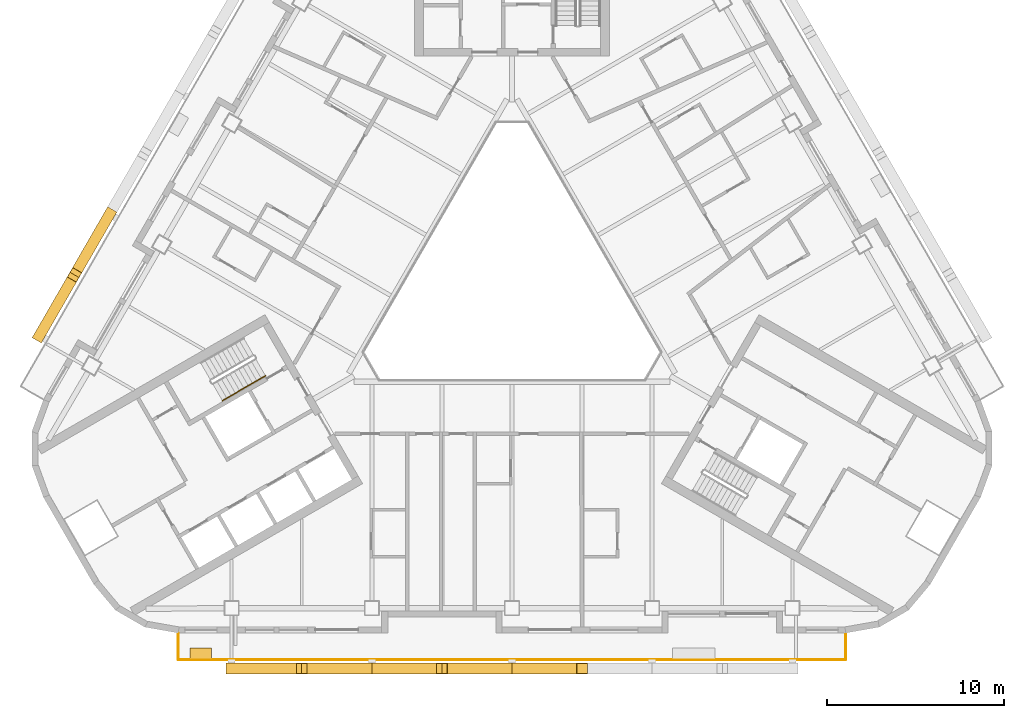
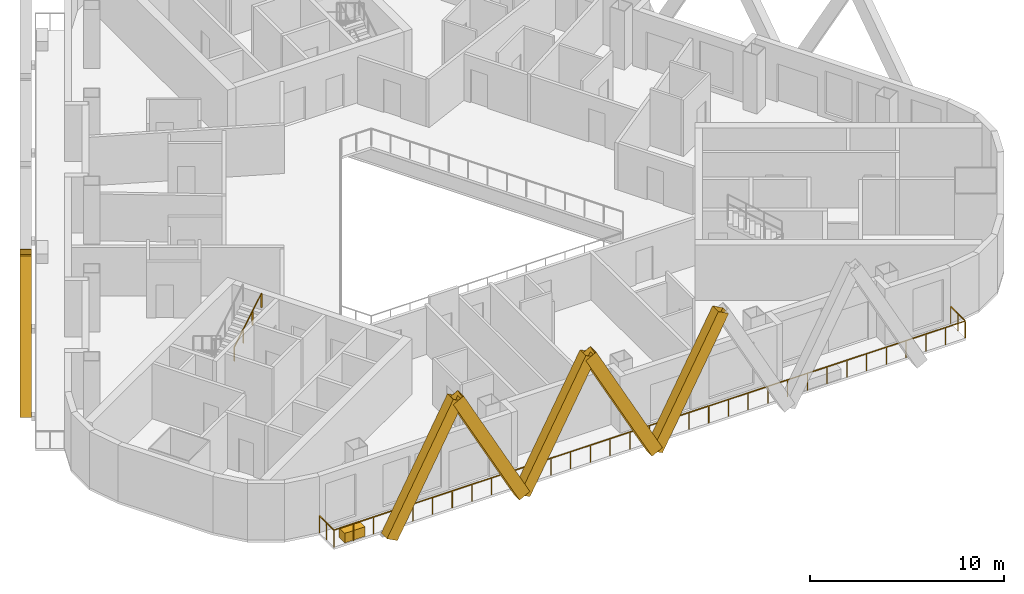
# One storey, part 9 of 14: 7 shading devices, 2 railings, 1 covering.
"""IFC4 building model written with IfcOpenShell, lengths in metres."""

from ifc_helpers import new_model, si_unit, direction, frame, origin, origin_2d, place, context, subcontext, project, spatial, rectangle, hollow_rectangle, circle, extrude, material, material_profile, profile_set, type_object, element, save


model = new_model("IFC4")

# Units and contexts
model_context = context("Model", 3, precision=1e-05, world=origin(), true_north=direction((0.0, 1.0)))
body_context = subcontext(model_context, "Body", "Model", "MODEL_VIEW")
ifc_project = project(units=[si_unit("LENGTHUNIT", "METRE"), si_unit("AREAUNIT", "SQUARE_METRE"), si_unit("VOLUMEUNIT", "CUBIC_METRE"), si_unit("PLANEANGLEUNIT", "RADIAN"), si_unit("MASSUNIT", "GRAM", prefix="KILO")], contexts=[model_context])

# Site, building, storey
site_placement = place(None, origin())
site = spatial("IfcSite", under=ifc_project, at=site_placement, CompositionType="ELEMENT")
building_placement = place(site_placement, origin())
building = spatial("IfcBuilding", under=site, at=building_placement, Name="Apuvela Tower Hotel", CompositionType="ELEMENT")
storey_placement = place(building_placement, frame((0.0, 0.0, 176.199951171875)))
storey = spatial("IfcBuildingStorey", under=building, at=storey_placement, Name="L42", CompositionType="ELEMENT", Elevation=176.199951171875)

# Railing
ifc_material_1 = material(Name="Stainless steel 316 handrail", Category="steel")
railing_type_1 = type_object("IfcRailingType", Name="COR-HANDRAIL-900", PredefinedType="HANDRAIL", material=ifc_material_1)
railing_1_placement = place(storey_placement, frame((-16.31884765625, -6.534912109375, 2.018310546875)))
element("IfcRailing", 1, at=railing_1_placement, inside=storey, type_object=railing_type_1, Name="L42 ST2 stair handrail 2", PredefinedType="HANDRAIL", context=body_context, shape_type="SweptSolid", body=[
    extrude(circle(Radius=0.02392578125, at=origin_2d()), frame((0.0, 0.0, 0.8759765625), z_axis=(0.74241905619, 0.428617687091, 0.514879426), x_axis=(-0.49998411664, 0.866034573852, 0.0)), (0.0, 0.0, 1.0), 3.26611328125),
    extrude(rectangle(XDim=0.0419921875, YDim=0.0419921875, at=origin_2d()), origin(), (0.0, 0.0, 1.0), 0.851806640625),
    extrude(rectangle(XDim=0.0419921875, YDim=0.0419921875, at=origin_2d()), frame((0.808349609375, 0.466552734375, 0.560546875)), (0.0, 0.0, 1.0), 0.851806640625),
    extrude(rectangle(XDim=0.0419921875, YDim=0.0419921875, at=origin_2d()), frame((1.616455078125, 0.933349609375, 1.12109375)), (0.0, 0.0, 1.0), 0.851806640625),
    extrude(rectangle(XDim=0.0419921875, YDim=0.0419921875, at=origin_2d()), frame((2.4248046875, 1.39990234375, 1.681640625)), (0.0, 0.0, 1.0), 0.851806640625),
])

# Shading devices
ifc_material_2 = material(Name="Aluminium 6063-T6, black anodised", Category="aluminium")
ifc_material_profile = material_profile(ifc_material_2, hollow_rectangle(XDim=0.60009765625, YDim=0.699951171875, WallThickness=0.011962890625, at=origin_2d()), Name="AL BOX 700x600x12")
ifc_profile_set = profile_set([ifc_material_profile], Name="Aluminium 6063-T6, black anodised")
shading_device_type = type_object("IfcShadingDeviceType", Name="ENV-FIN-700x600", PredefinedType="USERDEFINED", material=ifc_profile_set)
for number, where, z_axis, x_axis, name in (
    (2, (-15.800048828125, -21.6298828125, -0.099853515625), (0.470897892863, 0.0, 0.882187720668), (0.0, 1.0, 0.0), "Lattice fin S321"),
    (3, (-7.89990234375, -21.6298828125, -0.099853515625), (-0.470920543904, 0.0, 0.882175629526), (0.0, -1.0, 0.0), "Lattice fin S322"),
    (4, (-7.89990234375, -21.6298828125, -0.099853515625), (0.470897892863, 0.0, 0.882187720668), (0.0, 1.0, 0.0), "Lattice fin S323"),
    (5, (0.0, -21.6298828125, -0.099853515625), (-0.470897892863, 0.0, 0.882187720668), (0.0, -1.0, 0.0), "Lattice fin S324"),
    (6, (0.0, -21.6298828125, -0.099853515625), (0.470897892863, 0.0, 0.882187720668), (0.0, 1.0, 0.0), "Lattice fin S325"),
    (7, (-22.68212890625, 3.973388671875, -0.099853515625), (-0.235433593518, -0.407824887177, 0.882184722404), (0.866047669374, -0.499961432884, 0.0), "Lattice fin NW423"),
    (8, (-26.632080078125, -2.8681640625, -0.099853515625), (0.235463880167, 0.407797827568, 0.882189148067), (-0.866005453737, 0.500034552904, 0.0), "Lattice fin NW424"),
):
    element("IfcShadingDevice", number, at=place(storey_placement, frame(where, z_axis=z_axis, x_axis=x_axis)), inside=storey, type_object=shading_device_type, Name=name, ObjectType="FIN", PredefinedType="USERDEFINED", context=body_context, shape_type="SweptSolid", body=[
        extrude(hollow_rectangle(XDim=0.60009765625, YDim=0.699951171875, WallThickness=0.011962890625, at=origin_2d()), origin(), (0.0, 0.0, 1.0), 8.38818359375),
    ])

# Railing
ifc_material_3 = material(Name="Stainless steel 316 rail with laminated glass infill", Category="steel")
railing_type_2 = type_object("IfcRailingType", Name="ENV-GUARD-1100", PredefinedType="GUARDRAIL", material=ifc_material_3)
railing_2_placement = place(storey_placement, frame((-18.81591796875, -19.6298828125, 0.0)))
element("IfcRailing", 9, at=railing_2_placement, inside=storey, type_object=railing_type_2, Name="Balcony guard S L42", PredefinedType="GUARDRAIL", context=body_context, shape_type="SweptSolid", body=[
    extrude(rectangle(XDim=0.050048828125, YDim=0.050048828125, at=origin_2d()), frame((0.0, 0.0, 1.0751953125), z_axis=(0.0, -1.0, 0.0), x_axis=(1.0, 0.0, 0.0)), (0.0, 0.0, 1.0), 1.5),
    extrude(rectangle(XDim=0.050048828125, YDim=0.050048828125, at=origin_2d()), frame((0.0, -1.5, 1.0751953125), z_axis=(1.0, 0.0, 0.0), x_axis=(0.0, 1.0, 0.0)), (0.0, 0.0, 1.0), 37.6318359375),
    extrude(rectangle(XDim=0.050048828125, YDim=0.050048828125, at=origin_2d()), frame((37.6318359375, -1.5, 1.0751953125), z_axis=(0.0, 1.0, 0.0), x_axis=(-1.0, 0.0, 0.0)), (0.0, 0.0, 1.0), 1.5),
    extrude(rectangle(XDim=0.0400390625, YDim=0.0400390625, at=origin_2d()), origin(), (0.0, 0.0, 1.0), 1.050048828125),
    extrude(rectangle(XDim=0.0400390625, YDim=0.0400390625, at=origin_2d()), frame((0.0, -0.75, 0.0)), (0.0, 0.0, 1.0), 1.050048828125),
    extrude(rectangle(XDim=0.0400390625, YDim=0.0400390625, at=origin_2d()), frame((0.0, -1.5, 0.0)), (0.0, 0.0, 1.0), 1.050048828125),
    extrude(rectangle(XDim=0.0400390625, YDim=0.0400390625, at=origin_2d()), frame((1.176025390625, -1.5, 0.0)), (0.0, 0.0, 1.0), 1.050048828125),
    extrude(rectangle(XDim=0.0400390625, YDim=0.0400390625, at=origin_2d()), frame((2.35205078125, -1.5, 0.0)), (0.0, 0.0, 1.0), 1.050048828125),
    extrude(rectangle(XDim=0.0400390625, YDim=0.0400390625, at=origin_2d()), frame((3.528076171875, -1.5, 0.0)), (0.0, 0.0, 1.0), 1.050048828125),
    extrude(rectangle(XDim=0.0400390625, YDim=0.0400390625, at=origin_2d()), frame((4.7041015625, -1.5, 0.0)), (0.0, 0.0, 1.0), 1.050048828125),
    extrude(rectangle(XDim=0.0400390625, YDim=0.0400390625, at=origin_2d()), frame((5.8798828125, -1.5, 0.0)), (0.0, 0.0, 1.0), 1.050048828125),
    extrude(rectangle(XDim=0.0400390625, YDim=0.0400390625, at=origin_2d()), frame((7.055908203125, -1.5, 0.0)), (0.0, 0.0, 1.0), 1.050048828125),
    extrude(rectangle(XDim=0.0400390625, YDim=0.0400390625, at=origin_2d()), frame((8.23193359375, -1.5, 0.0)), (0.0, 0.0, 1.0), 1.050048828125),
    extrude(rectangle(XDim=0.0400390625, YDim=0.0400390625, at=origin_2d()), frame((9.407958984375, -1.5, 0.0)), (0.0, 0.0, 1.0), 1.050048828125),
    extrude(rectangle(XDim=0.0400390625, YDim=0.0400390625, at=origin_2d()), frame((10.583984375, -1.5, 0.0)), (0.0, 0.0, 1.0), 1.050048828125),
    extrude(rectangle(XDim=0.0400390625, YDim=0.0400390625, at=origin_2d()), frame((11.760009765625, -1.5, 0.0)), (0.0, 0.0, 1.0), 1.050048828125),
    extrude(rectangle(XDim=0.0400390625, YDim=0.0400390625, at=origin_2d()), frame((12.93603515625, -1.5, 0.0)), (0.0, 0.0, 1.0), 1.050048828125),
    extrude(rectangle(XDim=0.0400390625, YDim=0.0400390625, at=origin_2d()), frame((14.11181640625, -1.5, 0.0)), (0.0, 0.0, 1.0), 1.050048828125),
    extrude(rectangle(XDim=0.0400390625, YDim=0.0400390625, at=origin_2d()), frame((15.287841796875, -1.5, 0.0)), (0.0, 0.0, 1.0), 1.050048828125),
    extrude(rectangle(XDim=0.0400390625, YDim=0.0400390625, at=origin_2d()), frame((16.4638671875, -1.5, 0.0)), (0.0, 0.0, 1.0), 1.050048828125),
    extrude(rectangle(XDim=0.0400390625, YDim=0.0400390625, at=origin_2d()), frame((17.639892578125, -1.5, 0.0)), (0.0, 0.0, 1.0), 1.050048828125),
    extrude(rectangle(XDim=0.0400390625, YDim=0.0400390625, at=origin_2d()), frame((18.81591796875, -1.5, 0.0)), (0.0, 0.0, 1.0), 1.050048828125),
    extrude(rectangle(XDim=0.0400390625, YDim=0.0400390625, at=origin_2d()), frame((19.991943359375, -1.5, 0.0)), (0.0, 0.0, 1.0), 1.050048828125),
    extrude(rectangle(XDim=0.0400390625, YDim=0.0400390625, at=origin_2d()), frame((21.16796875, -1.5, 0.0)), (0.0, 0.0, 1.0), 1.050048828125),
    extrude(rectangle(XDim=0.0400390625, YDim=0.0400390625, at=origin_2d()), frame((22.343994140625, -1.5, 0.0)), (0.0, 0.0, 1.0), 1.050048828125),
    extrude(rectangle(XDim=0.0400390625, YDim=0.0400390625, at=origin_2d()), frame((23.52001953125, -1.5, 0.0)), (0.0, 0.0, 1.0), 1.050048828125),
    extrude(rectangle(XDim=0.0400390625, YDim=0.0400390625, at=origin_2d()), frame((24.69580078125, -1.5, 0.0)), (0.0, 0.0, 1.0), 1.050048828125),
    extrude(rectangle(XDim=0.0400390625, YDim=0.0400390625, at=origin_2d()), frame((25.871826171875, -1.5, 0.0)), (0.0, 0.0, 1.0), 1.050048828125),
    extrude(rectangle(XDim=0.0400390625, YDim=0.0400390625, at=origin_2d()), frame((27.0478515625, -1.5, 0.0)), (0.0, 0.0, 1.0), 1.050048828125),
    extrude(rectangle(XDim=0.0400390625, YDim=0.0400390625, at=origin_2d()), frame((28.223876953125, -1.5, 0.0)), (0.0, 0.0, 1.0), 1.050048828125),
    extrude(rectangle(XDim=0.0400390625, YDim=0.0400390625, at=origin_2d()), frame((29.39990234375, -1.5, 0.0)), (0.0, 0.0, 1.0), 1.050048828125),
    extrude(rectangle(XDim=0.0400390625, YDim=0.0400390625, at=origin_2d()), frame((30.575927734375, -1.5, 0.0)), (0.0, 0.0, 1.0), 1.050048828125),
    extrude(rectangle(XDim=0.0400390625, YDim=0.0400390625, at=origin_2d()), frame((31.751953125, -1.5, 0.0)), (0.0, 0.0, 1.0), 1.050048828125),
    extrude(rectangle(XDim=0.0400390625, YDim=0.0400390625, at=origin_2d()), frame((32.927734375, -1.5, 0.0)), (0.0, 0.0, 1.0), 1.050048828125),
    extrude(rectangle(XDim=0.0400390625, YDim=0.0400390625, at=origin_2d()), frame((34.103759765625, -1.5, 0.0)), (0.0, 0.0, 1.0), 1.050048828125),
    extrude(rectangle(XDim=0.0400390625, YDim=0.0400390625, at=origin_2d()), frame((35.27978515625, -1.5, 0.0)), (0.0, 0.0, 1.0), 1.050048828125),
    extrude(rectangle(XDim=0.0400390625, YDim=0.0400390625, at=origin_2d()), frame((36.455810546875, -1.5, 0.0)), (0.0, 0.0, 1.0), 1.050048828125),
    extrude(rectangle(XDim=0.0400390625, YDim=0.0400390625, at=origin_2d()), frame((37.6318359375, -1.5, 0.0)), (0.0, 0.0, 1.0), 1.050048828125),
    extrude(rectangle(XDim=0.0400390625, YDim=0.0400390625, at=origin_2d()), frame((37.6318359375, -0.75, 0.0)), (0.0, 0.0, 1.0), 1.050048828125),
    extrude(rectangle(XDim=0.0400390625, YDim=0.0400390625, at=origin_2d()), frame((37.6318359375, 0.0, 0.0)), (0.0, 0.0, 1.0), 1.050048828125),
])

# Covering
ifc_material_4 = material(Name="Planting substrate and soil, planted")
covering_type = type_object("IfcCoveringType", Name="ENV-PLANTER-1200x600", PredefinedType="USERDEFINED", material=ifc_material_4)
covering_placement = place(storey_placement, frame((-17.53515625, -20.780029296875, 0.0), z_axis=(0.0, 0.0, 1.0), x_axis=(1.0, 0.0, 0.0)))
element("IfcCovering", 10, at=covering_placement, inside=storey, type_object=covering_type, Name="Planter S1", ObjectType="PLANTER", PredefinedType="USERDEFINED", context=body_context, shape_type="SweptSolid", body=[
    extrude(rectangle(XDim=1.199951171875, YDim=0.60009765625, at=origin_2d()), origin(), (0.0, 0.0, 1.0), 0.60009765625),
])

save(model, "model.ifc")
